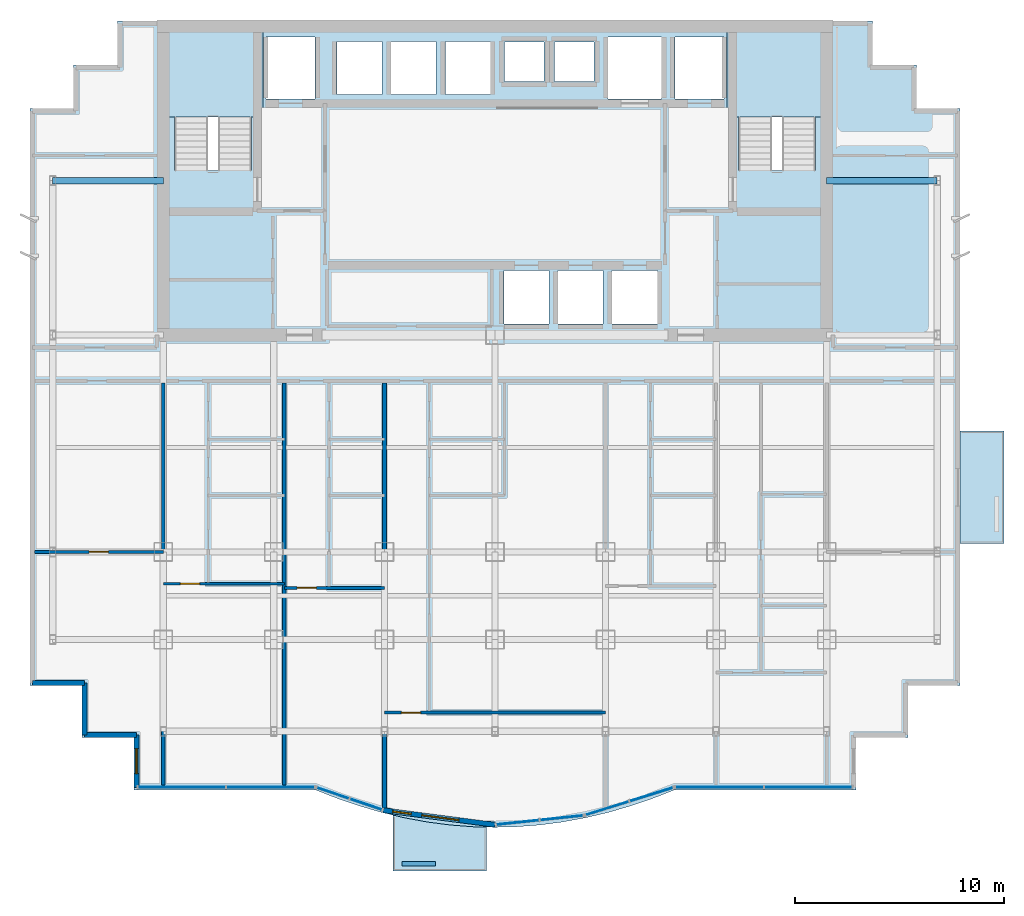
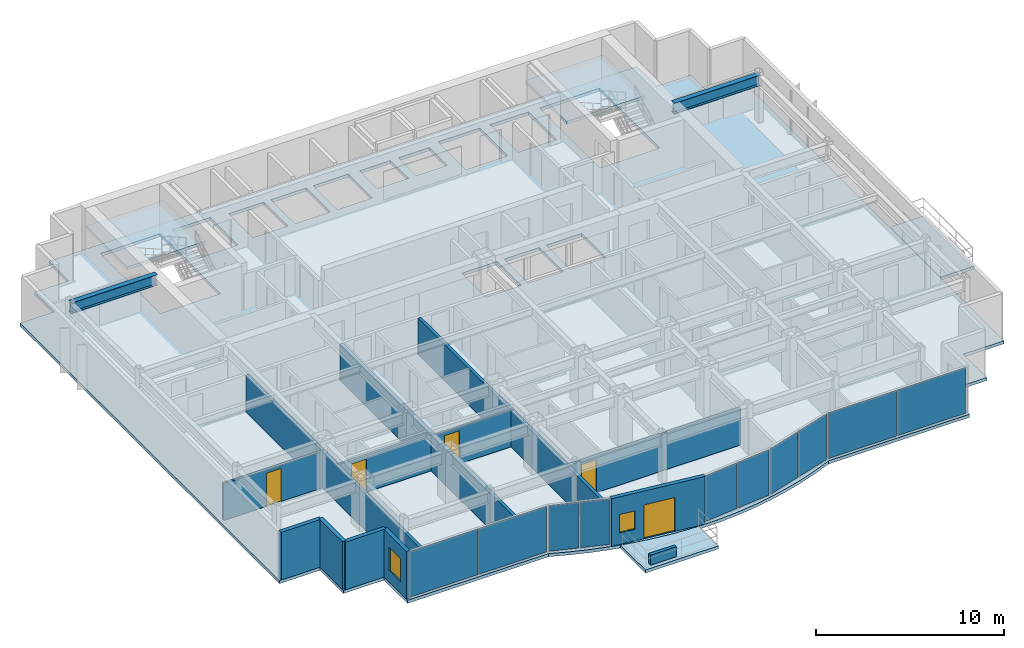
# One storey, part 5 of 11: 13 walls, 10 plates, 5 doors, 5 slabs, 2 beams, 2 windows, 7 openings, 7 elements without a shape of their own.
"""IFC4 building model written with IfcOpenShell, lengths in metres."""

from ifc_helpers import new_model, si_unit, direction, frame, frame_2d, origin, origin_2d, place, context, subcontext, project, spatial, polyline, rectangle, i_section, outline, extrude, source, transform, mapped, material, layer, layer_set, material_profile, profile_set, type_object, element, fill, aggregate, save


model = new_model("IFC4")

# Units and contexts
model_context = context("Model", 3, precision=1e-05, world=origin(), true_north=direction((0.0, 1.0)))
body_context = subcontext(model_context, "Body", "Model", "MODEL_VIEW")
ifc_project = project(units=[si_unit("LENGTHUNIT", "METRE"), si_unit("AREAUNIT", "SQUARE_METRE"), si_unit("VOLUMEUNIT", "CUBIC_METRE"), si_unit("PLANEANGLEUNIT", "RADIAN"), si_unit("MASSUNIT", "GRAM", prefix="KILO")], contexts=[model_context])

# Site, building, storey
site_placement = place(None, origin())
site = spatial("IfcSite", under=ifc_project, at=site_placement, CompositionType="ELEMENT")
building_placement = place(site_placement, origin())
building = spatial("IfcBuilding", under=site, at=building_placement, Name="Qianlan Lanfeng Residences", CompositionType="ELEMENT")
storey_placement = place(building_placement, frame((0.0, 0.0, 145.800048828125)))
storey = spatial("IfcBuildingStorey", under=building, at=storey_placement, Name="L39", CompositionType="ELEMENT", Elevation=145.800048828125)

# Beams
ifc_material_1 = material(Name="Steel SN490B", Category="steel")
ifc_material_profile = material_profile(ifc_material_1, i_section(OverallWidth=0.300048828125, OverallDepth=0.699951171875, WebThickness=0.012939453125, FlangeThickness=0.02392578125, at=origin_2d()), Name="H 700x300x13x24")
ifc_profile_set = profile_set([ifc_material_profile], Name="Steel SN490B")
beam_type = type_object("IfcBeamType", Name="G-750", PredefinedType="BEAM", material=ifc_profile_set)
for number, where, z_axis, x_axis, name in (
    (1, (5.300048828125, 32.60009765625, 2.75), (1.0, 0.0, 0.0), (0.0, 1.0, 0.0), "Structural beam G-750"),
    (2, (42.39990234375, 32.60009765625, 2.75), (1.0, 0.0, 0.0), (0.0, 1.0, 0.0), "Structural beam G-750"),
):
    element("IfcBeam", number, at=place(storey_placement, frame(where, z_axis=z_axis, x_axis=x_axis)), inside=storey, type_object=beam_type, Name=name, PredefinedType="BEAM", context=body_context, shape_type="SweptSolid", body=[
        extrude(i_section(OverallWidth=0.300048828125, OverallDepth=0.699951171875, WebThickness=0.012939453125, FlangeThickness=0.02392578125, at=origin_2d()), origin(), (0.0, 0.0, 1.0), 5.300048828125),
    ])

# Slabs
ifc_material_2 = material(Name="Concrete C42", Category="concrete")
ifc_layer_1 = layer(ifc_material_2, 0.199951171875)
ifc_layer_set_1 = layer_set([ifc_layer_1], Name="Concrete C42")
slab_type_1 = type_object("IfcSlabType", Name="S-BAL-200", PredefinedType="FLOOR", material=ifc_layer_set_1)
slab_1_placement = place(storey_placement, frame((0.0, 0.0, -0.199951171875)))
element("IfcSlab", 3, at=slab_1_placement, inside=storey, type_object=slab_type_1, Name="L39 Planted Tree Balcony Slab SB-C", PredefinedType="FLOOR", context=body_context, shape_type="SweptSolid", body=[
    extrude(outline(polyline([(26.10009765625, 1.610107421875), (25.422119140625, 1.6279296875), (24.344970703125, 1.712890625), (23.26708984375, 1.85302734375), (22.18994140625, 2.050048828125), (21.60009765625, 2.18798828125), (21.60009765625, -0.5), (26.10009765625, -0.5), (26.10009765625, 1.610107421875)])), origin(), (0.0, 0.0, 1.0), 0.199951171875),
])
slab_2_placement = place(storey_placement, frame((0.0, 0.0, -0.199951171875)))
element("IfcSlab", 4, at=slab_2_placement, inside=storey, type_object=slab_type_1, Name="L39 Planted Tree Balcony Slab EB-S", PredefinedType="FLOOR", context=body_context, shape_type="SweptSolid", body=[
    extrude(outline(polyline([(48.800048828125, 20.60009765625), (48.800048828125, 15.199951171875), (50.89990234375, 15.199951171875), (50.89990234375, 20.60009765625), (48.800048828125, 20.60009765625)])), origin(), (0.0, 0.0, 1.0), 0.199951171875),
])
ifc_layer_2 = layer(ifc_material_2, 0.199951171875)
ifc_layer_set_2 = layer_set([ifc_layer_2], Name="Concrete C42")
slab_type_2 = type_object("IfcSlabType", Name="S-FL-200", PredefinedType="FLOOR", material=ifc_layer_set_2)
slab_3_placement = place(storey_placement, frame((0.0, 0.0, -0.199951171875)))
element("IfcSlab", 5, at=slab_3_placement, inside=storey, type_object=slab_type_2, Name="L39 Structural Floor Slab", PredefinedType="FLOOR", context=body_context, shape_type="SweptSolid", body=[
    extrude(outline(polyline([(4.199951171875, 8.39990234375), (6.699951171875, 8.39990234375), (6.699951171875, 5.89990234375), (9.199951171875, 5.89990234375), (9.199951171875, 3.39990234375), (17.8798828125, 3.39990234375), (18.95703125, 2.97802734375), (20.034912109375, 2.612060546875), (21.112060546875, 2.302978515625), (22.18994140625, 2.050048828125), (23.26708984375, 1.85302734375), (24.344970703125, 1.712890625), (25.422119140625, 1.6279296875), (26.5, 1.60009765625), (27.577880859375, 1.6279296875), (28.655029296875, 1.7119140625), (29.73193359375, 1.85302734375), (30.81005859375, 2.050048828125), (31.886962890625, 2.302978515625), (32.965087890625, 2.612060546875), (34.0419921875, 2.97802734375), (35.1201171875, 3.39990234375), (43.800048828125, 3.39990234375), (43.800048828125, 5.89990234375), (46.300048828125, 5.89990234375), (46.300048828125, 8.39990234375), (48.800048828125, 8.39990234375), (48.800048828125, 36.050048828125), (46.699951171875, 36.050048828125), (46.699951171875, 38.14990234375), (44.60009765625, 38.14990234375), (44.60009765625, 40.25), (8.39990234375, 40.25), (8.39990234375, 38.14990234375), (6.300048828125, 38.14990234375), (6.300048828125, 36.050048828125), (4.199951171875, 36.050048828125), (4.199951171875, 8.39990234375)]), holes=[polyline([(11.139892578125, 33.080078125), (11.139892578125, 39.5), (14.820068359375, 39.5), (14.820068359375, 33.080078125), (11.139892578125, 33.080078125)]), polyline([(38.179931640625, 33.080078125), (38.179931640625, 39.5), (41.860107421875, 39.5), (41.860107421875, 33.080078125), (38.179931640625, 33.080078125)]), polyline([(15.52001953125, 36.52001953125), (15.52001953125, 39.47998046875), (17.8798828125, 39.47998046875), (17.8798828125, 36.52001953125), (15.52001953125, 36.52001953125)]), polyline([(35.1201171875, 36.52001953125), (35.1201171875, 39.47998046875), (37.47998046875, 39.47998046875), (37.47998046875, 36.52001953125), (35.1201171875, 36.52001953125)]), polyline([(31.919921875, 36.52001953125), (31.919921875, 39.47998046875), (34.47998046875, 39.47998046875), (34.47998046875, 36.52001953125), (31.919921875, 36.52001953125)]), polyline([(26.919921875, 25.719970703125), (26.919921875, 28.280029296875), (29.080078125, 28.280029296875), (29.080078125, 25.719970703125), (26.919921875, 25.719970703125)]), polyline([(29.52001953125, 25.719970703125), (29.52001953125, 28.280029296875), (31.679931640625, 28.280029296875), (31.679931640625, 25.719970703125), (29.52001953125, 25.719970703125)]), polyline([(32.1201171875, 25.719970703125), (32.1201171875, 28.280029296875), (34.280029296875, 28.280029296875), (34.280029296875, 25.719970703125), (32.1201171875, 25.719970703125)]), polyline([(18.919921875, 36.719970703125), (18.919921875, 39.280029296875), (21.080078125, 39.280029296875), (21.080078125, 36.719970703125), (18.919921875, 36.719970703125)]), polyline([(21.52001953125, 36.719970703125), (21.52001953125, 39.280029296875), (23.679931640625, 39.280029296875), (23.679931640625, 36.719970703125), (21.52001953125, 36.719970703125)]), polyline([(24.1201171875, 36.719970703125), (24.1201171875, 39.280029296875), (26.280029296875, 39.280029296875), (26.280029296875, 36.719970703125), (24.1201171875, 36.719970703125)]), polyline([(26.949951171875, 37.35009765625), (26.949951171875, 39.25), (28.85009765625, 39.25), (28.85009765625, 37.35009765625), (26.949951171875, 37.35009765625)]), polyline([(29.35009765625, 37.35009765625), (29.35009765625, 39.25), (31.25, 39.25), (31.25, 37.35009765625), (29.35009765625, 37.35009765625)])]), origin(), (0.0, 0.0, 1.0), 0.199951171875),
])

# Stair, slab
stair_type = type_object("IfcStairType", Name="STR-MAIN", PredefinedType="HALF_TURN_STAIR", material=ifc_material_2)
stair_1_placement = place(storey_placement, origin())
stair_1 = element("IfcStair", 6, at=stair_1_placement, inside=storey, type_object=stair_type, Name="L39 Exit Stair ST-1", PredefinedType="HALF_TURN_STAIR")
ifc_layer_3 = layer(ifc_material_2, 0.179931640625)
ifc_layer_set_3 = layer_set([ifc_layer_3], Name="Concrete C42")
slab_type_3 = type_object("IfcSlabType", Name="S-LND-180", PredefinedType="LANDING", material=ifc_layer_set_3)
slab_4_placement = place(storey_placement, frame((0.0, 0.0, 1.449951171875)))
slab_4 = element("IfcSlab", 7, at=slab_4_placement, type_object=slab_type_3, Name="ST-1 landing 1", PredefinedType="LANDING", context=body_context, shape_type="SweptSolid", body=[
    extrude(outline(polyline([(10.580078125, 35.659912109375), (15.3798828125, 35.659912109375), (15.3798828125, 40.050048828125), (10.580078125, 40.050048828125), (10.580078125, 35.659912109375)])), origin(), (0.0, 0.0, 1.0), 0.199951171875),
])
aggregate(stair_1, [slab_4])

stair_2_placement = place(storey_placement, origin())
stair_2 = element("IfcStair", 8, at=stair_2_placement, inside=storey, type_object=stair_type, Name="L39 Exit Stair ST-2", PredefinedType="HALF_TURN_STAIR")
slab_5_placement = place(storey_placement, frame((0.0, 0.0, 1.449951171875)))
slab_5 = element("IfcSlab", 9, at=slab_5_placement, type_object=slab_type_3, Name="ST-2 landing 1", PredefinedType="LANDING", context=body_context, shape_type="SweptSolid", body=[
    extrude(outline(polyline([(37.6201171875, 35.659912109375), (42.419921875, 35.659912109375), (42.419921875, 40.050048828125), (37.6201171875, 40.050048828125), (37.6201171875, 35.659912109375)])), origin(), (0.0, 0.0, 1.0), 0.199951171875),
])
aggregate(stair_2, [slab_5])

# Curtain wall, plate
ifc_material_3 = material(Name="Anodised Bronze Aluminium 6063-T6", Category="aluminium")
ifc_layer_4 = layer(ifc_material_3, 0.219970703125)
ifc_layer_set_4 = layer_set([ifc_layer_4], Name="Anodised Bronze Aluminium 6063-T6")
curtain_wall_type = type_object("IfcCurtainWallType", Name="CW-04", PredefinedType="NOTDEFINED", material=ifc_layer_set_4)
curtain_wall_1_placement = place(storey_placement, origin())
curtain_wall_1 = element("IfcCurtainWall", 10, at=curtain_wall_1_placement, inside=storey, type_object=curtain_wall_type, Name="L39 Unitised Curtain Wall CWR-L39-02 (CW-04)", PredefinedType="NOTDEFINED")
ifc_material_4 = material(Name="Perforated Anodised Bronze Aluminium Panel", Category="aluminium")
ifc_layer_5 = layer(ifc_material_4, 0.0419921875)
ifc_layer_set_5 = layer_set([ifc_layer_5], Name="Perforated Anodised Bronze Aluminium Panel")
plate_type_1 = type_object("IfcPlateType", Name="PNL-PRF-BRZ", PredefinedType="CURTAIN_PANEL", material=ifc_layer_set_5)
shared_shape_1 = source(origin(), body_context, "Body", "SweptSolid", [
    extrude(rectangle(XDim=1.60009765625, YDim=0.0419921875, at=origin_2d()), origin(), (0.0, 0.0, 1.0), 2.951904296875),
])
plate_1_placement = place(storey_placement, frame((20.314453125, 2.7001953125, 0.07421875), z_axis=(0.0, 0.0, 1.0), x_axis=(0.946795963885, -0.321834433787, 0.0)))
plate_1 = element("IfcPlate", 11, at=plate_1_placement, type_object=plate_type_1, Name="CWR-L39-02 Curtain Panel 2", PredefinedType="CURTAIN_PANEL", context=body_context, shape_type="MappedRepresentation", body=[
    mapped(shared_shape_1, transform((0.0, 0.0, 0.0), scale=1.0)),
])

# Curtain wall, plates
curtain_wall_2_placement = place(storey_placement, origin())
curtain_wall_2 = element("IfcCurtainWall", 12, at=curtain_wall_2_placement, inside=storey, type_object=curtain_wall_type, Name="L39 Unitised Curtain Wall CWR-L39-01 (CW-04)", PredefinedType="NOTDEFINED")
ifc_material_5 = material(Name="Clear Low-E Insulated Glass", Category="glass")
ifc_layer_6 = layer(ifc_material_5, 0.035888671875)
ifc_layer_set_6 = layer_set([ifc_layer_6], Name="Clear Low-E Insulated Glass")
plate_type_2 = type_object("IfcPlateType", Name="PNL-GLZ-CLR", PredefinedType="CURTAIN_PANEL", material=ifc_layer_set_6)
shared_shape_2 = source(origin(), body_context, "Body", "SweptSolid", [
    extrude(rectangle(XDim=4.180908203125, YDim=0.035888671875, at=origin_2d()), origin(), (0.0, 0.0, 1.0), 2.951904296875),
])
plate_2_placement = place(storey_placement, frame((11.484619140625, 3.52001953125, 0.07421875), z_axis=(0.0, 0.0, 1.0), x_axis=(1.0, 0.0, 0.0)))
plate_2 = element("IfcPlate", 13, at=plate_2_placement, type_object=plate_type_2, Name="CWR-L39-01 Curtain Panel 1", PredefinedType="CURTAIN_PANEL", context=body_context, shape_type="MappedRepresentation", body=[
    mapped(shared_shape_2, transform((0.0, 0.0, 0.0), scale=1.0)),
])
plate_3_placement = place(storey_placement, frame((15.738525390625, 3.52001953125, 0.07421875), z_axis=(0.0, 0.0, 1.0), x_axis=(1.0, 0.0, 0.0)))
plate_3 = element("IfcPlate", 14, at=plate_3_placement, type_object=plate_type_2, Name="CWR-L39-01 Curtain Panel 2", PredefinedType="CURTAIN_PANEL", context=body_context, shape_type="MappedRepresentation", body=[
    mapped(shared_shape_2, transform((0.0, 0.0, 0.0), scale=1.0)),
])
aggregate(curtain_wall_2, [plate_2, plate_3])

curtain_wall_3_placement = place(storey_placement, origin())
curtain_wall_3 = element("IfcCurtainWall", 15, at=curtain_wall_3_placement, inside=storey, type_object=curtain_wall_type, Name="L39 Unitised Curtain Wall CWR-L39-05 (CW-04)", PredefinedType="NOTDEFINED")
plate_4_placement = place(storey_placement, frame((37.261474609375, 3.52001953125, 0.07421875), z_axis=(0.0, 0.0, 1.0), x_axis=(1.0, 0.0, 0.0)))
plate_4 = element("IfcPlate", 16, at=plate_4_placement, type_object=plate_type_2, Name="CWR-L39-05 Curtain Panel 1", PredefinedType="CURTAIN_PANEL", context=body_context, shape_type="MappedRepresentation", body=[
    mapped(shared_shape_2, transform((0.0, 0.0, 0.0), scale=1.0)),
])
plate_5_placement = place(storey_placement, frame((41.515380859375, 3.52001953125, 0.07421875), z_axis=(0.0, 0.0, 1.0), x_axis=(1.0, 0.0, 0.0)))
plate_5 = element("IfcPlate", 17, at=plate_5_placement, type_object=plate_type_2, Name="CWR-L39-05 Curtain Panel 2", PredefinedType="CURTAIN_PANEL", context=body_context, shape_type="MappedRepresentation", body=[
    mapped(shared_shape_2, transform((0.0, 0.0, 0.0), scale=1.0)),
])
aggregate(curtain_wall_3, [plate_4, plate_5])

# Plate
shared_shape_3 = source(origin(), body_context, "Body", "SweptSolid", [
    extrude(rectangle(XDim=1.60009765625, YDim=0.035888671875, at=origin_2d()), origin(), (0.0, 0.0, 1.0), 2.951904296875),
])
plate_6_placement = place(storey_placement, frame((18.73046875, 3.23876953125, 0.07421875), z_axis=(0.0, 0.0, 1.0), x_axis=(0.946795963885, -0.321834433787, 0.0)))
plate_6 = element("IfcPlate", 18, at=plate_6_placement, type_object=plate_type_2, Name="CWR-L39-02 Curtain Panel 1", PredefinedType="CURTAIN_PANEL", context=body_context, shape_type="MappedRepresentation", body=[
    mapped(shared_shape_3, transform((0.0, 0.0, 0.0), scale=1.0)),
])

aggregate(curtain_wall_1, [plate_6, plate_1])

# Curtain wall, plates
curtain_wall_4_placement = place(storey_placement, origin())
curtain_wall_4 = element("IfcCurtainWall", 19, at=curtain_wall_4_placement, inside=storey, type_object=curtain_wall_type, Name="L39 Unitised Curtain Wall CWR-L39-03 (CW-04)", PredefinedType="NOTDEFINED")
shared_shape_4 = source(origin(), body_context, "Body", "SweptSolid", [
    extrude(rectangle(XDim=2.043701171875, YDim=0.035888671875, at=origin_2d()), origin(), (0.0, 0.0, 1.0), 2.951904296875),
])
plate_7_placement = place(storey_placement, frame((27.58984375, 1.833984375, 0.07421875), z_axis=(0.0, 0.0, 1.0), x_axis=(0.994579031105, 0.103983416397, 0.0)))
plate_7 = element("IfcPlate", 20, at=plate_7_placement, type_object=plate_type_2, Name="CWR-L39-03 Curtain Panel 1", PredefinedType="CURTAIN_PANEL", context=body_context, shape_type="MappedRepresentation", body=[
    mapped(shared_shape_4, transform((0.0, 0.0, 0.0), scale=1.0)),
])
plate_8_placement = place(storey_placement, frame((29.695068359375, 2.05419921875, 0.07421875), z_axis=(0.0, 0.0, 1.0), x_axis=(0.994579031105, 0.103983416397, 0.0)))
plate_8 = element("IfcPlate", 21, at=plate_8_placement, type_object=plate_type_2, Name="CWR-L39-03 Curtain Panel 2", PredefinedType="CURTAIN_PANEL", context=body_context, shape_type="MappedRepresentation", body=[
    mapped(shared_shape_4, transform((0.0, 0.0, 0.0), scale=1.0)),
])
aggregate(curtain_wall_4, [plate_7, plate_8])

curtain_wall_5_placement = place(storey_placement, origin())
curtain_wall_5 = element("IfcCurtainWall", 22, at=curtain_wall_5_placement, inside=storey, type_object=curtain_wall_type, Name="L39 Unitised Curtain Wall CWR-L39-04 (CW-04)", PredefinedType="NOTDEFINED")
shared_shape_5 = source(origin(), body_context, "Body", "SweptSolid", [
    extrude(rectangle(XDim=2.14892578125, YDim=0.035888671875, at=origin_2d()), origin(), (0.0, 0.0, 1.0), 2.951904296875),
])
plate_9_placement = place(storey_placement, frame((31.880859375, 2.51171875, 0.07421875), z_axis=(0.0, 0.0, 1.0), x_axis=(0.954195954421, 0.299182353367, 0.0)))
plate_9 = element("IfcPlate", 23, at=plate_9_placement, type_object=plate_type_2, Name="CWR-L39-04 Curtain Panel 1", PredefinedType="CURTAIN_PANEL", context=body_context, shape_type="MappedRepresentation", body=[
    mapped(shared_shape_5, transform((0.0, 0.0, 0.0), scale=1.0)),
])
shared_shape_6 = source(origin(), body_context, "Body", "SweptSolid", [
    extrude(rectangle(XDim=2.14892578125, YDim=0.0419921875, at=origin_2d()), origin(), (0.0, 0.0, 1.0), 2.951904296875),
])
plate_10_placement = place(storey_placement, frame((34.001220703125, 3.176513671875, 0.07421875), z_axis=(0.0, 0.0, 1.0), x_axis=(0.954195954421, 0.299182353367, 0.0)))
plate_10 = element("IfcPlate", 24, at=plate_10_placement, type_object=plate_type_1, Name="CWR-L39-04 Curtain Panel 2", PredefinedType="CURTAIN_PANEL", context=body_context, shape_type="MappedRepresentation", body=[
    mapped(shared_shape_6, transform((0.0, 0.0, 0.0), scale=1.0)),
])
aggregate(curtain_wall_5, [plate_9, plate_10])

# Walls
ifc_layer_7 = layer(ifc_material_2, 0.239990234375)
ifc_layer_set_7 = layer_set([ifc_layer_7], Name="Concrete C42")
wall_type_1 = type_object("IfcWallType", Name="EW-240", PredefinedType="SOLIDWALL", material=ifc_layer_set_7)
for number, where, z_axis, x_axis, name in (
    (25, (4.320068359375, 8.52001953125, 0.0), (0.0, 0.0, 1.0), (1.0, 0.0, 0.0), "L39 Exterior Facade Spandrel Wall 1"),
    (26, (6.820068359375, 8.52001953125, 0.0), (0.0, 0.0, 1.0), (0.0, -1.0, 0.0), "L39 Exterior Facade Spandrel Wall 2"),
    (27, (6.820068359375, 6.02001953125, 0.0), (0.0, 0.0, 1.0), (1.0, 0.0, 0.0), "L39 Exterior Facade Spandrel Wall 3"),
):
    element("IfcWall", number, at=place(storey_placement, frame(where, z_axis=z_axis, x_axis=x_axis)), inside=storey, type_object=wall_type_1, Name=name, PredefinedType="SOLIDWALL", context=body_context, shape_type="SweptSolid", body=[
        extrude(rectangle(XDim=2.5, YDim=0.239990234375, at=frame_2d((1.25, 0.0))), origin(), (0.0, 0.0, 1.0), 3.099853515625),
    ])

# Wall, opening, window
wall_1_placement = place(storey_placement, frame((9.320068359375, 6.02001953125, 0.0), z_axis=(0.0, 0.0, 1.0), x_axis=(0.0, -1.0, 0.0)))
wall_1 = element("IfcWall", 28, at=wall_1_placement, inside=storey, type_object=wall_type_1, Name="L39 Exterior Facade Spandrel Wall 4", PredefinedType="SOLIDWALL", context=body_context, shape_type="SweptSolid", body=[
    extrude(rectangle(XDim=2.5, YDim=0.239990234375, at=frame_2d((1.25, 0.0))), origin(), (0.0, 0.0, 1.0), 3.099853515625),
])
opening_1_placement = place(wall_1_placement, frame((0.64990234375, 0.0, 0.75)))
opening_1 = element("IfcOpeningElement", 29, at=opening_1_placement, cuts=wall_1, Name="Opening W-03", PredefinedType="OPENING", context=body_context, shape_type="SweptSolid", body=[
    extrude(rectangle(XDim=1.199951171875, YDim=1.5, at=frame_2d((0.60009765625, 0.75))), frame((0.0, 0.1298828125, 0.0), z_axis=(0.0, -1.0, 0.0), x_axis=(1.0, 0.0, 0.0)), (0.0, 0.0, 1.0), 0.260009765625),
])
ifc_material_6 = material(Name="Anodised Bronze Aluminium Framed Double Glazing", Category="aluminium")
window_type_1 = type_object("IfcWindowType", Name="W-03", PartitioningType="SINGLE_PANEL", PredefinedType="WINDOW", material=ifc_material_6)
window_1_placement = place(opening_1_placement, origin())
window_1 = element("IfcWindow", 30, at=window_1_placement, inside=storey, type_object=window_type_1, Name="L39 Facade Punched Window W-03", OverallHeight=1.5, OverallWidth=1.199951171875, PartitioningType="SINGLE_PANEL", PredefinedType="WINDOW", context=body_context, shape_type="SweptSolid", body=[
    extrude(rectangle(XDim=1.199951171875, YDim=1.5, at=frame_2d((0.60009765625, 0.75))), frame((0.0, 0.030029296875, 0.0), z_axis=(0.0, -1.0, 0.0), x_axis=(1.0, 0.0, 0.0)), (0.0, 0.0, 1.0), 0.06005859375),
])
fill(opening_1, window_1)

# Wall, openings, door, window
wall_2_placement = place(storey_placement, frame((21.14208984375, 2.4189453125, 0.0), z_axis=(0.0, 0.0, 1.0), x_axis=(0.991597639478, -0.129360432053, 0.0)))
wall_2 = element("IfcWall", 31, at=wall_2_placement, inside=storey, type_object=wall_type_1, Name="L39 Terrace/Balcony Access Exterior Wall 5", PredefinedType="SOLIDWALL", context=body_context, shape_type="SweptSolid", body=[
    extrude(rectangle(XDim=5.4033203125, YDim=0.239990234375, at=frame_2d((2.70166015625, 0.0))), origin(), (0.0, 0.0, 1.0), 3.099853515625),
])
opening_2_placement = place(wall_2_placement, frame((1.863037109375, 0.0, 0.0)))
opening_2 = element("IfcOpeningElement", 32, at=opening_2_placement, cuts=wall_2, Name="Opening L39-D-SB-C", PredefinedType="OPENING", context=body_context, shape_type="SweptSolid", body=[
    extrude(rectangle(XDim=1.800048828125, YDim=2.199951171875, at=frame_2d((0.89990234375, 1.10009765625))), frame((0.0, 0.1298828125, 0.0), z_axis=(0.0, -1.0, 0.0), x_axis=(1.0, 0.0, 0.0)), (0.0, 0.0, 1.0), 0.260009765625),
])
opening_3_placement = place(wall_2_placement, frame((0.449951171875, 0.0, 0.75)))
opening_3 = element("IfcOpeningElement", 33, at=opening_3_placement, cuts=wall_2, Name="Opening W-04", PredefinedType="OPENING", context=body_context, shape_type="SweptSolid", body=[
    extrude(rectangle(XDim=0.89990234375, YDim=1.199951171875, at=frame_2d((0.449951171875, 0.60009765625))), frame((0.0, 0.1298828125, 0.0), z_axis=(0.0, -1.0, 0.0), x_axis=(1.0, 0.0, 0.0)), (0.0, 0.0, 1.0), 0.260009765625),
])
ifc_material_7 = material(Name="Anodised Bronze Aluminium Framed Glass", Category="aluminium")
door_type_1 = type_object("IfcDoorType", Name="DT-BAL1", OperationType="NOTDEFINED", PredefinedType="DOOR", material=ifc_material_7)
door_1_placement = place(opening_2_placement, frame((1.800048828125, 0.0, 0.0), z_axis=(0.0, 0.0, 1.0), x_axis=(-1.0, 0.0, 0.0)))
door_1 = element("IfcDoor", 34, at=door_1_placement, inside=storey, type_object=door_type_1, Name="L39 Exterior Access Door SB-C", OperationType="DOUBLE_DOOR_SLIDING", OverallHeight=2.199951171875, OverallWidth=1.800048828125, PredefinedType="DOOR", context=body_context, shape_type="SweptSolid", body=[
    extrude(rectangle(XDim=1.800048828125, YDim=2.199951171875, at=frame_2d((0.89990234375, 1.10009765625))), frame((0.0, 0.02490234375, 0.0), z_axis=(0.0, -1.0, 0.0), x_axis=(1.0, 0.0, 0.0)), (0.0, 0.0, 1.0), 0.050048828125),
])
fill(opening_2, door_1)
window_type_2 = type_object("IfcWindowType", Name="W-04", PartitioningType="SINGLE_PANEL", PredefinedType="WINDOW", material=ifc_material_6)
window_2_placement = place(opening_3_placement, origin())
window_2 = element("IfcWindow", 35, at=window_2_placement, inside=storey, type_object=window_type_2, Name="L39 Exterior Window W-04", OverallHeight=1.199951171875, OverallWidth=0.89990234375, PartitioningType="SINGLE_PANEL", PredefinedType="WINDOW", context=body_context, shape_type="SweptSolid", body=[
    extrude(rectangle(XDim=0.89990234375, YDim=1.199951171875, at=frame_2d((0.449951171875, 0.60009765625))), frame((0.0, 0.030029296875, 0.0), z_axis=(0.0, -1.0, 0.0), x_axis=(1.0, 0.0, 0.0)), (0.0, 0.0, 1.0), 0.06005859375),
])
fill(opening_3, window_2)

# Wall
ifc_layer_8 = layer(ifc_material_2, 0.199951171875)
ifc_layer_set_8 = layer_set([ifc_layer_8], Name="Concrete C42")
wall_type_2 = type_object("IfcWallType", Name="PL-TREE-200", PredefinedType="PARAPET", material=ifc_layer_set_8)
wall_3_placement = place(storey_placement, frame((22.050048828125, -0.14990234375, 0.0), z_axis=(0.0, 0.0, 1.0), x_axis=(1.0, 0.0, 0.0)))
element("IfcWall", 36, at=wall_3_placement, inside=storey, type_object=wall_type_2, Name="L39 Balcony Tree Planter Curb SB-C", PredefinedType="PARAPET", context=body_context, shape_type="SweptSolid", body=[
    extrude(rectangle(XDim=1.599853515625, YDim=0.199951171875, at=frame_2d((0.7998046875, 0.0))), origin(), (0.0, 0.0, 1.0), 0.64990234375),
])

# Wall, opening, door
ifc_material_8 = material(Name="Moisture-Resistant Gypsum Partition 135 mm")
ifc_layer_9 = layer(ifc_material_8, 0.135009765625)
ifc_layer_set_9 = layer_set([ifc_layer_9], Name="Moisture-Resistant Gypsum Partition 135 mm")
wall_type_3 = type_object("IfcWallType", Name="PW-135", PredefinedType="PARTITIONING", material=ifc_layer_set_9)
wall_4_placement = place(storey_placement, frame((10.60009765625, 13.27490234375, 0.0), z_axis=(0.0, 0.0, 1.0), x_axis=(1.0, 0.0, 0.0)))
wall_4 = element("IfcWall", 37, at=wall_4_placement, inside=storey, type_object=wall_type_3, Name="L39 U01 Living Divider", PredefinedType="PARTITIONING", context=body_context, shape_type="SweptSolid", body=[
    extrude(rectangle(XDim=5.7998046875, YDim=0.135009765625, at=frame_2d((2.89990234375, 0.0))), origin(), (0.0, 0.0, 1.0), 2.3798828125),
])
opening_4_placement = place(wall_4_placement, frame((0.81494140625, 0.0, 0.0)))
opening_4 = element("IfcOpeningElement", 38, at=opening_4_placement, cuts=wall_4, Name="Opening L39-D17", PredefinedType="OPENING", context=body_context, shape_type="SweptSolid", body=[
    extrude(rectangle(XDim=0.919921875, YDim=2.14990234375, at=frame_2d((0.4599609375, 1.074951171875))), frame((0.0, 0.07763671875, 0.0), z_axis=(0.0, -1.0, 0.0), x_axis=(1.0, 0.0, 0.0)), (0.0, 0.0, 1.0), 0.155029296875),
])
ifc_material_9 = material(Name="Glazed Timber Kitchen/Study Door", Category="wood")
door_type_2 = type_object("IfcDoorType", Name="DT-INT", OperationType="NOTDEFINED", PredefinedType="DOOR", material=ifc_material_9)
door_2_placement = place(opening_4_placement, origin())
door_2 = element("IfcDoor", 39, at=door_2_placement, inside=storey, type_object=door_type_2, Name="L39 U01 Living Passage Door L39-D17 (DT-INT)", OperationType="SINGLE_SWING_LEFT", OverallHeight=2.14990234375, OverallWidth=0.919921875, PredefinedType="DOOR", context=body_context, shape_type="SweptSolid", body=[
    extrude(rectangle(XDim=0.919921875, YDim=2.14990234375, at=frame_2d((0.4599609375, 1.074951171875))), frame((0.0, 0.02490234375, 0.0), z_axis=(0.0, -1.0, 0.0), x_axis=(1.0, 0.0, 0.0)), (0.0, 0.0, 1.0), 0.050048828125),
])
fill(opening_4, door_2)

wall_5_placement = place(storey_placement, frame((16.39990234375, 13.075927734375, 0.0), z_axis=(0.0, 0.0, 1.0), x_axis=(1.0, 0.0, 0.0)))
wall_5 = element("IfcWall", 40, at=wall_5_placement, inside=storey, type_object=wall_type_3, Name="L39 U02 Living Divider", PredefinedType="PARTITIONING", context=body_context, shape_type="SweptSolid", body=[
    extrude(rectangle(XDim=4.800048828125, YDim=0.135009765625, at=frame_2d((2.39990234375, 0.0))), origin(), (0.0, 0.0, 1.0), 2.3798828125),
])
opening_5_placement = place(wall_5_placement, frame((0.614990234375, 0.0, 0.0)))
opening_5 = element("IfcOpeningElement", 41, at=opening_5_placement, cuts=wall_5, Name="Opening L39-D22", PredefinedType="OPENING", context=body_context, shape_type="SweptSolid", body=[
    extrude(rectangle(XDim=0.919921875, YDim=2.14990234375, at=frame_2d((0.4599609375, 1.074951171875))), frame((0.0, 0.07763671875, 0.0), z_axis=(0.0, -1.0, 0.0), x_axis=(1.0, 0.0, 0.0)), (0.0, 0.0, 1.0), 0.155029296875),
])
door_3_placement = place(opening_5_placement, frame((0.919921875, 0.0, 0.0), z_axis=(0.0, 0.0, 1.0), x_axis=(-1.0, 0.0, 0.0)))
door_3 = element("IfcDoor", 42, at=door_3_placement, inside=storey, type_object=door_type_2, Name="L39 U02 Living Passage Door L39-D22 (DT-INT)", OperationType="SINGLE_SWING_RIGHT", OverallHeight=2.14990234375, OverallWidth=0.919921875, PredefinedType="DOOR", context=body_context, shape_type="SweptSolid", body=[
    extrude(rectangle(XDim=0.919921875, YDim=2.14990234375, at=frame_2d((0.4599609375, 1.074951171875))), frame((0.0, 0.02490234375, 0.0), z_axis=(0.0, -1.0, 0.0), x_axis=(1.0, 0.0, 0.0)), (0.0, 0.0, 1.0), 0.050048828125),
])
fill(opening_5, door_3)

wall_6_placement = place(storey_placement, frame((21.199951171875, 7.10302734375, 0.0), z_axis=(0.0, 0.0, 1.0), x_axis=(1.0, 0.0, 0.0)))
wall_6 = element("IfcWall", 43, at=wall_6_placement, inside=storey, type_object=wall_type_3, Name="L39 U03 Living Divider", PredefinedType="PARTITIONING", context=body_context, shape_type="SweptSolid", body=[
    extrude(rectangle(XDim=10.60009765625, YDim=0.135009765625, at=frame_2d((5.300048828125, 0.0))), origin(), (0.0, 0.0, 1.0), 2.3798828125),
])
opening_6_placement = place(wall_6_placement, frame((0.81494140625, 0.0, 0.0)))
opening_6 = element("IfcOpeningElement", 44, at=opening_6_placement, cuts=wall_6, Name="Opening L39-D27", PredefinedType="OPENING", context=body_context, shape_type="SweptSolid", body=[
    extrude(rectangle(XDim=0.919921875, YDim=2.14990234375, at=frame_2d((0.4599609375, 1.074951171875))), frame((0.0, 0.07763671875, 0.0), z_axis=(0.0, -1.0, 0.0), x_axis=(1.0, 0.0, 0.0)), (0.0, 0.0, 1.0), 0.155029296875),
])
door_4_placement = place(opening_6_placement, origin())
door_4 = element("IfcDoor", 45, at=door_4_placement, inside=storey, type_object=door_type_2, Name="L39 U03 Living Passage Door L39-D27 (DT-INT)", OperationType="SINGLE_SWING_LEFT", OverallHeight=2.14990234375, OverallWidth=0.919921875, PredefinedType="DOOR", context=body_context, shape_type="SweptSolid", body=[
    extrude(rectangle(XDim=0.919921875, YDim=2.14990234375, at=frame_2d((0.4599609375, 1.074951171875))), frame((0.0, 0.02490234375, 0.0), z_axis=(0.0, -1.0, 0.0), x_axis=(1.0, 0.0, 0.0)), (0.0, 0.0, 1.0), 0.050048828125),
])
fill(opening_6, door_4)

wall_7_placement = place(storey_placement, frame((4.419921875, 14.800048828125, 0.0), z_axis=(0.0, 0.0, 1.0), x_axis=(1.0, 0.0, 0.0)))
wall_7 = element("IfcWall", 46, at=wall_7_placement, inside=storey, type_object=wall_type_3, Name="L39 SWP Mid Partition", PredefinedType="PARTITIONING", context=body_context, shape_type="SweptSolid", body=[
    extrude(rectangle(XDim=6.18017578125, YDim=0.135009765625, at=frame_2d((3.090087890625, 0.0))), origin(), (0.0, 0.0, 1.0), 2.3798828125),
])
opening_7_placement = place(wall_7_placement, frame((2.6298828125, 0.0, 0.0)))
opening_7 = element("IfcOpeningElement", 47, at=opening_7_placement, cuts=wall_7, Name="Opening L39-D41", PredefinedType="OPENING", context=body_context, shape_type="SweptSolid", body=[
    extrude(rectangle(XDim=0.919921875, YDim=2.14990234375, at=frame_2d((0.4599609375, 1.074951171875))), frame((0.0, 0.07763671875, 0.0), z_axis=(0.0, -1.0, 0.0), x_axis=(1.0, 0.0, 0.0)), (0.0, 0.0, 1.0), 0.155029296875),
])
door_5_placement = place(opening_7_placement, origin())
door_5 = element("IfcDoor", 48, at=door_5_placement, inside=storey, type_object=door_type_2, Name="L39 SWP Inner Door L39-D41 (DT-INT)", OperationType="SINGLE_SWING_LEFT", OverallHeight=2.14990234375, OverallWidth=0.919921875, PredefinedType="DOOR", context=body_context, shape_type="SweptSolid", body=[
    extrude(rectangle(XDim=0.919921875, YDim=2.14990234375, at=frame_2d((0.4599609375, 1.074951171875))), frame((0.0, 0.02490234375, 0.0), z_axis=(0.0, -1.0, 0.0), x_axis=(1.0, 0.0, 0.0)), (0.0, 0.0, 1.0), 0.050048828125),
])
fill(opening_7, door_5)

# Walls
ifc_material_10 = material(Name="Double-Layer Acoustic Gypsum Stud Wall 180 mm")
ifc_layer_10 = layer(ifc_material_10, 0.179931640625)
ifc_layer_set_10 = layer_set([ifc_layer_10], Name="Double-Layer Acoustic Gypsum Stud Wall 180 mm")
wall_type_4 = type_object("IfcWallType", Name="PW-180", PredefinedType="PARTITIONING", material=ifc_layer_set_10)
for number, where, z_axis, x_axis, name in (
    (49, (10.60009765625, 3.6201171875, 0.0), (0.0, 0.0, 1.0), (0.0, 1.0, 0.0), "L39 Wing Boundary Party Wall W0"),
    (50, (16.39990234375, 3.6201171875, 0.0), (0.0, 0.0, 1.0), (0.0, 1.0, 0.0), "L39 Inter-Tenancy Party Wall 2"),
):
    element("IfcWall", number, at=place(storey_placement, frame(where, z_axis=z_axis, x_axis=x_axis)), inside=storey, type_object=wall_type_4, Name=name, PredefinedType="PARTITIONING", context=body_context, shape_type="SweptSolid", body=[
        extrude(rectangle(XDim=19.27978515625, YDim=0.179931640625, at=frame_2d((9.639892578125, 0.0))), origin(), (0.0, 0.0, 1.0), 2.3798828125),
    ])
wall_8_placement = place(storey_placement, frame((21.199951171875, 2.508056640625, 0.0), z_axis=(0.0, 0.0, 1.0), x_axis=(0.0, 1.0, 0.0)))
element("IfcWall", 51, at=wall_8_placement, inside=storey, type_object=wall_type_4, Name="L39 Inter-Tenancy Party Wall 3", PredefinedType="PARTITIONING", context=body_context, shape_type="SweptSolid", body=[
    extrude(rectangle(XDim=20.391845703125, YDim=0.179931640625, at=frame_2d((10.19580078125, 0.0))), origin(), (0.0, 0.0, 1.0), 2.3798828125),
])

save(model, "model.ifc")
